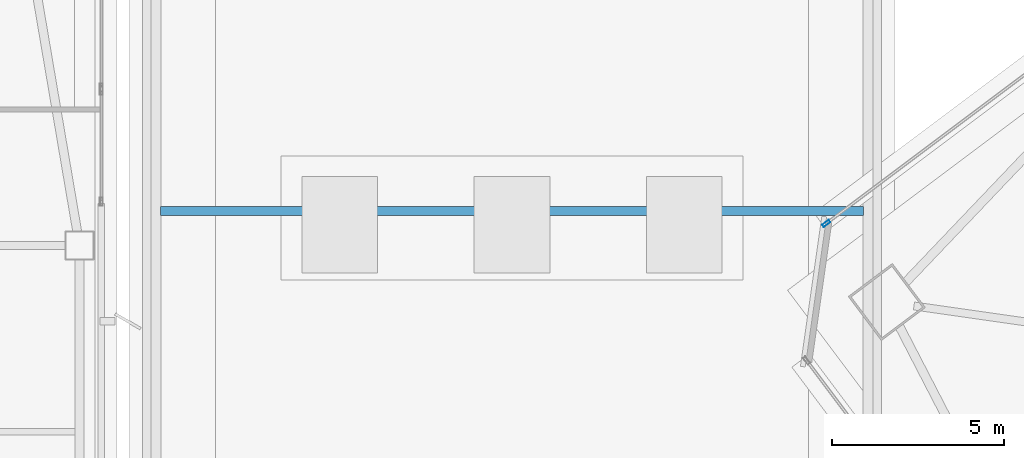
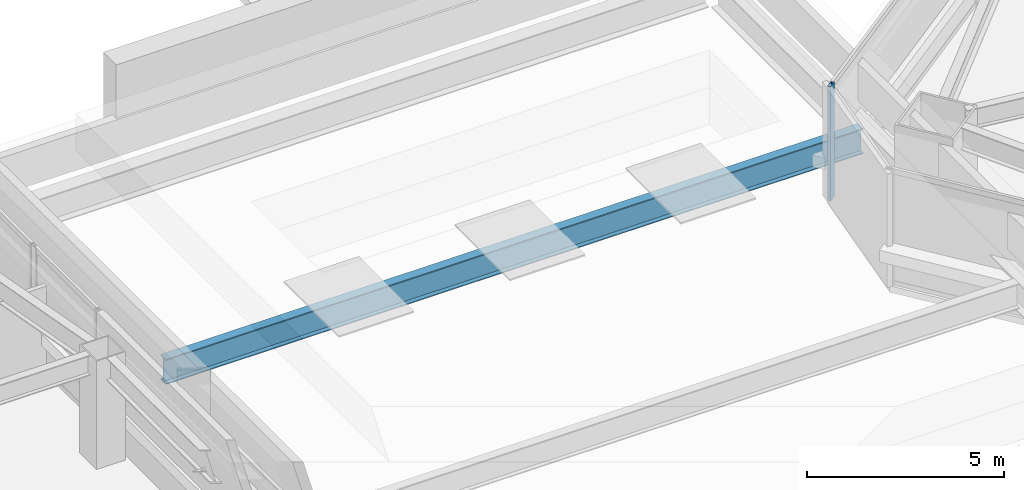
# One storey, part 31 of 62: 1 beam, 1 member, 1 element without a shape of its own.
"""IFC4 building model written with IfcOpenShell, lengths in metres."""

from ifc_helpers import new_model, si_unit, direction, frame, origin, origin_2d, place, context, subcontext, project, spatial, hollow_rectangle, i_section, extrude, material, material_profile, profile_set, type_object, element, aggregate, save


model = new_model("IFC4")

# Units and contexts
model_context = context("Model", 3, precision=1e-05, world=origin(), true_north=direction((0.0, 1.0)))
body_context = subcontext(model_context, "Body", "Model", "MODEL_VIEW")
ifc_project = project(units=[si_unit("LENGTHUNIT", "METRE"), si_unit("AREAUNIT", "SQUARE_METRE"), si_unit("VOLUMEUNIT", "CUBIC_METRE"), si_unit("PLANEANGLEUNIT", "RADIAN"), si_unit("MASSUNIT", "GRAM", prefix="KILO")], contexts=[model_context])

# Site, building, storey
site_placement = place(None, origin())
site = spatial("IfcSite", under=ifc_project, at=site_placement, CompositionType="ELEMENT")
building_placement = place(site_placement, origin())
building = spatial("IfcBuilding", under=site, at=building_placement, Name="Tashvorn Skyway Center", CompositionType="ELEMENT")
storey_placement = place(building_placement, frame((0.0, 0.0, 28.14990234375)))
storey = spatial("IfcBuildingStorey", under=building, at=storey_placement, Name="L06", CompositionType="ELEMENT", Elevation=28.14990234375)

# Beam
ifc_material_1 = material(Name="Steel ASTM A992 Grade 50", Category="steel")
ifc_material_profile_1 = material_profile(ifc_material_1, i_section(OverallWidth=0.26708984375, OverallDepth=0.779052734375, WebThickness=0.0166015625, FlangeThickness=0.030029296875, at=origin_2d()), Name="W30X148")
ifc_profile_set_1 = profile_set([ifc_material_profile_1], Name="Steel ASTM A992 Grade 50")
beam_type = type_object("IfcBeamType", Name="BM-BEAM-W30X148", PredefinedType="BEAM", material=ifc_profile_set_1)
beam_placement = place(storey_placement, frame((66.60009765625, 38.39990234375, 1.260498046875), z_axis=(1.0, 0.0, 0.0), x_axis=(0.0, 1.0, 0.0)))
element("IfcBeam", 1, at=beam_placement, inside=storey, type_object=beam_type, Name="Concourse Monitor Rafter 3", PredefinedType="BEAM", context=body_context, shape_type="SweptSolid", body=[
    extrude(i_section(OverallWidth=0.26708984375, OverallDepth=0.779052734375, WebThickness=0.0166015625, FlangeThickness=0.030029296875, at=origin_2d()), origin(), (0.0, 0.0, 1.0), 20.39990234375),
])

# Curtain wall, member
ifc_material_2 = material(Name="Thermally broken bronze-anodized aluminium 6063-T6", Category="aluminium")
curtain_wall_type = type_object("IfcCurtainWallType", Name="CW-CW-Z1", PredefinedType="NOTDEFINED", material=ifc_material_2)
curtain_wall_placement = place(storey_placement, origin())
curtain_wall = element("IfcCurtainWall", 2, at=curtain_wall_placement, inside=storey, type_object=curtain_wall_type, Name="Tower 2 L06 North Unitised Curtain Wall Glazing Group 1", PredefinedType="NOTDEFINED")
ifc_material_profile_2 = material_profile(ifc_material_2, hollow_rectangle(XDim=0.0849609375, YDim=0.239990234375, WallThickness=0.0048828125, at=origin_2d()), Name="ALU-MULL-85x240")
ifc_profile_set_2 = profile_set([ifc_material_profile_2], Name="Thermally broken bronze-anodized aluminium 6063-T6")
member_type = type_object("IfcMemberType", Name="CWM-CW-Z1", PredefinedType="MULLION", material=ifc_profile_set_2)
member_placement = place(storey_placement, frame((85.922119140625, 38.04150390625, 0.0), z_axis=(0.0, 0.0, 1.0), x_axis=(-0.600000000002, 0.799999999998, 0.0)))
member = element("IfcMember", 3, at=member_placement, type_object=member_type, Name="CW-Z1 mullion 1", PredefinedType="MULLION", context=body_context, shape_type="SweptSolid", body=[
    extrude(hollow_rectangle(XDim=0.0849609375, YDim=0.239990234375, WallThickness=0.0048828125, at=origin_2d()), origin(), (0.0, 0.0, 1.0), 3.550048828125),
])
aggregate(curtain_wall, [member])

save(model, "model.ifc")
